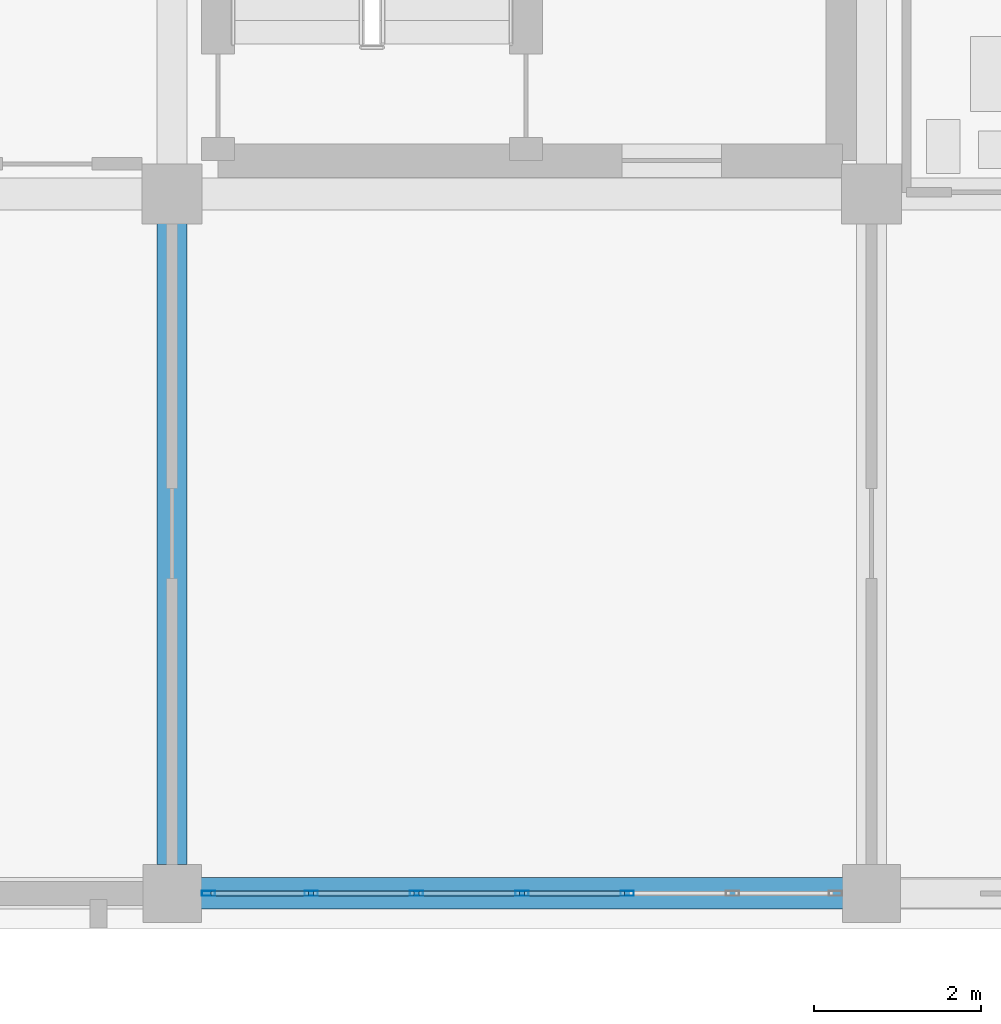
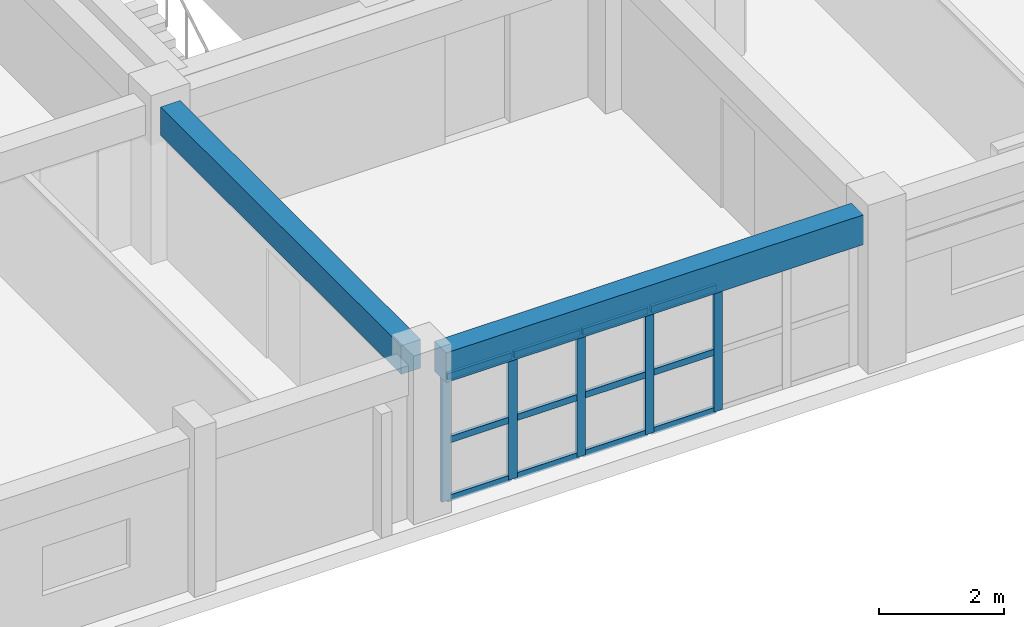
# One storey, part 12 of 148: 17 members, 2 beams, 1 element without a shape of its own.
"""IFC4 building model written with IfcOpenShell, lengths in metres."""

from ifc_helpers import new_model, si_unit, direction, frame, origin, origin_2d, place, context, subcontext, project, spatial, rectangle, hollow_rectangle, extrude, material, layer, layer_set, material_profile, profile_set, type_object, element, aggregate, save


model = new_model("IFC4")

# Units and contexts
model_context = context("Model", 3, precision=1e-05, world=origin(), true_north=direction((0.0, 1.0)))
body_context = subcontext(model_context, "Body", "Model", "MODEL_VIEW")
ifc_project = project(units=[si_unit("LENGTHUNIT", "METRE"), si_unit("AREAUNIT", "SQUARE_METRE"), si_unit("VOLUMEUNIT", "CUBIC_METRE"), si_unit("PLANEANGLEUNIT", "RADIAN"), si_unit("MASSUNIT", "GRAM", prefix="KILO")], contexts=[model_context])

# Site, building, storey
site_placement = place(None, origin())
site = spatial("IfcSite", under=ifc_project, at=site_placement, CompositionType="ELEMENT")
building_placement = place(site_placement, origin())
building = spatial("IfcBuilding", under=site, at=building_placement, Name="Trelvath General Hospital", CompositionType="ELEMENT")
storey_placement = place(building_placement, frame((0.0, 0.0, 12.89990234375)))
storey = spatial("IfcBuildingStorey", under=building, at=storey_placement, Name="L03", CompositionType="ELEMENT", Elevation=12.89990234375)

# Beams
ifc_material_1 = material(Name="Concrete C35/45", Category="concrete")
ifc_material_profile_1 = material_profile(ifc_material_1, rectangle(XDim=0.360107421875, YDim=0.56005859375, at=origin_2d()), Name="RCB360x560")
ifc_profile_set_1 = profile_set([ifc_material_profile_1], Name="Concrete C35/45")
beam_type_1 = type_object("IfcBeamType", Name="Beam RC360x560", PredefinedType="BEAM", material=ifc_profile_set_1)
beam_1_placement = place(storey_placement, frame((42.0, 0.344970703125, 2.739990234375), z_axis=(0.0, 1.0, 0.0), x_axis=(-1.0, 0.0, 0.0)))
element("IfcBeam", 1, at=beam_1_placement, inside=storey, type_object=beam_type_1, Name="Grid Beam BY-305A", PredefinedType="BEAM", context=body_context, shape_type="SweptSolid", body=[
    extrude(rectangle(XDim=0.360107421875, YDim=0.56005859375, at=origin_2d()), origin(), (0.0, 0.0, 1.0), 7.699951171875),
])
ifc_material_2 = material(Name="Concrete C35/45", Category="concrete")
ifc_material_profile_2 = material_profile(ifc_material_2, rectangle(XDim=0.3798828125, YDim=0.580078125, at=origin_2d()), Name="RCB380x580")
ifc_profile_set_2 = profile_set([ifc_material_profile_2], Name="Concrete C35/45")
beam_type_2 = type_object("IfcBeamType", Name="Beam RC380x580", PredefinedType="BEAM", material=ifc_profile_set_2)
beam_2_placement = place(storey_placement, frame((42.344970703125, 0.0, 2.72998046875), z_axis=(1.0, 0.0, 0.0), x_axis=(0.0, 1.0, 0.0)))
element("IfcBeam", 2, at=beam_2_placement, inside=storey, type_object=beam_type_2, Name="Grid Beam BX-305A", PredefinedType="BEAM", context=body_context, shape_type="SweptSolid", body=[
    extrude(rectangle(XDim=0.3798828125, YDim=0.580078125, at=origin_2d()), origin(), (0.0, 0.0, 1.0), 7.7099609375),
])

# Curtain wall, members
ifc_material_3 = material(Name="Anodised aluminium and low-E glass", Category="aluminium")
ifc_layer = layer(ifc_material_3, 0.159912109375)
ifc_layer_set = layer_set([ifc_layer], Name="Anodised aluminium and low-E glass")
curtain_wall_type = type_object("IfcCurtainWallType", Name="CW Facade 759 244 16", PredefinedType="USERDEFINED", material=ifc_layer_set)
curtain_wall_placement = place(storey_placement, origin())
curtain_wall = element("IfcCurtainWall", 3, at=curtain_wall_placement, inside=storey, type_object=curtain_wall_type, Name="Facade Curtain Wall CW-056", ObjectType="Unitised Glazed Curtain Wall", PredefinedType="USERDEFINED")
ifc_material_4 = material(Name="Anodised aluminium", Category="aluminium")
ifc_material_profile_3 = material_profile(ifc_material_4, hollow_rectangle(XDim=0.06005859375, YDim=0.159912109375, WallThickness=0.00390625, at=origin_2d()), Name="RHS60x160x4")
ifc_profile_set_3 = profile_set([ifc_material_profile_3], Name="Anodised aluminium")
member_type_1 = type_object("IfcMemberType", Name="CurtainMullion 60x160", PredefinedType="MULLION", material=ifc_profile_set_3)
member_1_placement = place(storey_placement, frame((47.465087890625, 0.0, 0.0), z_axis=(0.0, 0.0, 1.0), x_axis=(0.0, -1.0, 0.0)))
member_1 = element("IfcMember", 4, at=member_1_placement, type_object=member_type_1, Name="CW-056 mullion 3", PredefinedType="MULLION", context=body_context, shape_type="SweptSolid", body=[
    extrude(hollow_rectangle(XDim=0.06005859375, YDim=0.159912109375, WallThickness=0.00390625, at=origin_2d()), origin(), (0.0, 0.0, 1.0), 2.440185546875),
])
member_2_placement = place(storey_placement, frame((46.199951171875, 0.0, 0.0), z_axis=(0.0, 0.0, 1.0), x_axis=(0.0, -1.0, 0.0)))
member_2 = element("IfcMember", 5, at=member_2_placement, type_object=member_type_1, Name="CW-056 mullion 4", PredefinedType="MULLION", context=body_context, shape_type="SweptSolid", body=[
    extrude(hollow_rectangle(XDim=0.06005859375, YDim=0.159912109375, WallThickness=0.00390625, at=origin_2d()), origin(), (0.0, 0.0, 1.0), 2.440185546875),
])
member_3_placement = place(storey_placement, frame((44.93505859375, 0.0, 0.0), z_axis=(0.0, 0.0, 1.0), x_axis=(0.0, -1.0, 0.0)))
member_3 = element("IfcMember", 6, at=member_3_placement, type_object=member_type_1, Name="CW-056 mullion 5", PredefinedType="MULLION", context=body_context, shape_type="SweptSolid", body=[
    extrude(hollow_rectangle(XDim=0.06005859375, YDim=0.159912109375, WallThickness=0.00390625, at=origin_2d()), origin(), (0.0, 0.0, 1.0), 2.440185546875),
])
member_4_placement = place(storey_placement, frame((43.669921875, 0.0, 0.0), z_axis=(0.0, 0.0, 1.0), x_axis=(0.0, -1.0, 0.0)))
member_4 = element("IfcMember", 7, at=member_4_placement, type_object=member_type_1, Name="CW-056 mullion 6", PredefinedType="MULLION", context=body_context, shape_type="SweptSolid", body=[
    extrude(hollow_rectangle(XDim=0.06005859375, YDim=0.159912109375, WallThickness=0.00390625, at=origin_2d()), origin(), (0.0, 0.0, 1.0), 2.440185546875),
])
member_5_placement = place(storey_placement, frame((42.43505859375, 0.0, 0.0), z_axis=(0.0, 0.0, 1.0), x_axis=(0.0, -1.0, 0.0)))
member_5 = element("IfcMember", 8, at=member_5_placement, type_object=member_type_1, Name="CW-056 mullion 7", PredefinedType="MULLION", context=body_context, shape_type="SweptSolid", body=[
    extrude(hollow_rectangle(XDim=0.06005859375, YDim=0.159912109375, WallThickness=0.00390625, at=origin_2d()), origin(), (0.0, 0.0, 1.0), 2.440185546875),
])
ifc_material_5 = material(Name="Anodised aluminium", Category="aluminium")
ifc_material_profile_4 = material_profile(ifc_material_5, hollow_rectangle(XDim=0.06005859375, YDim=0.125, WallThickness=0.00390625, at=origin_2d()), Name="RHS60x125x4")
ifc_profile_set_4 = profile_set([ifc_material_profile_4], Name="Anodised aluminium")
member_type_2 = type_object("IfcMemberType", Name="CurtainTransom 60x125", PredefinedType="USERDEFINED", material=ifc_profile_set_4)
member_6_placement = place(storey_placement, frame((47.43505859375, 0.0, 0.030029296875), z_axis=(-1.0, 0.0, 0.0), x_axis=(0.0, -1.0, 0.0)))
member_6 = element("IfcMember", 9, at=member_6_placement, type_object=member_type_2, Name="CW-056 transom 3.1", ObjectType="TRANSOM", PredefinedType="USERDEFINED", context=body_context, shape_type="SweptSolid", body=[
    extrude(hollow_rectangle(XDim=0.06005859375, YDim=0.125, WallThickness=0.00390625, at=origin_2d()), origin(), (0.0, 0.0, 1.0), 1.205078125),
])
member_7_placement = place(storey_placement, frame((47.43505859375, 0.0, 1.171142578125), z_axis=(-1.0, 0.0, 0.0), x_axis=(0.0, -1.0, 0.0)))
member_7 = element("IfcMember", 10, at=member_7_placement, type_object=member_type_2, Name="CW-056 transom 3.2", ObjectType="TRANSOM", PredefinedType="USERDEFINED", context=body_context, shape_type="SweptSolid", body=[
    extrude(hollow_rectangle(XDim=0.06005859375, YDim=0.125, WallThickness=0.00390625, at=origin_2d()), origin(), (0.0, 0.0, 1.0), 1.205078125),
])
member_8_placement = place(storey_placement, frame((47.43505859375, 0.0, 2.41015625), z_axis=(-1.0, 0.0, 0.0), x_axis=(0.0, -1.0, 0.0)))
member_8 = element("IfcMember", 11, at=member_8_placement, type_object=member_type_2, Name="CW-056 transom 3.3", ObjectType="TRANSOM", PredefinedType="USERDEFINED", context=body_context, shape_type="SweptSolid", body=[
    extrude(hollow_rectangle(XDim=0.06005859375, YDim=0.125, WallThickness=0.00390625, at=origin_2d()), origin(), (0.0, 0.0, 1.0), 1.205078125),
])
member_9_placement = place(storey_placement, frame((46.169921875, 0.0, 0.030029296875), z_axis=(-1.0, 0.0, 0.0), x_axis=(0.0, -1.0, 0.0)))
member_9 = element("IfcMember", 12, at=member_9_placement, type_object=member_type_2, Name="CW-056 transom 4.1", ObjectType="TRANSOM", PredefinedType="USERDEFINED", context=body_context, shape_type="SweptSolid", body=[
    extrude(hollow_rectangle(XDim=0.06005859375, YDim=0.125, WallThickness=0.00390625, at=origin_2d()), origin(), (0.0, 0.0, 1.0), 1.204833984375),
])
member_10_placement = place(storey_placement, frame((46.169921875, 0.0, 1.171142578125), z_axis=(-1.0, 0.0, 0.0), x_axis=(0.0, -1.0, 0.0)))
member_10 = element("IfcMember", 13, at=member_10_placement, type_object=member_type_2, Name="CW-056 transom 4.2", ObjectType="TRANSOM", PredefinedType="USERDEFINED", context=body_context, shape_type="SweptSolid", body=[
    extrude(hollow_rectangle(XDim=0.06005859375, YDim=0.125, WallThickness=0.00390625, at=origin_2d()), origin(), (0.0, 0.0, 1.0), 1.204833984375),
])
member_11_placement = place(storey_placement, frame((46.169921875, 0.0, 2.41015625), z_axis=(-1.0, 0.0, 0.0), x_axis=(0.0, -1.0, 0.0)))
member_11 = element("IfcMember", 14, at=member_11_placement, type_object=member_type_2, Name="CW-056 transom 4.3", ObjectType="TRANSOM", PredefinedType="USERDEFINED", context=body_context, shape_type="SweptSolid", body=[
    extrude(hollow_rectangle(XDim=0.06005859375, YDim=0.125, WallThickness=0.00390625, at=origin_2d()), origin(), (0.0, 0.0, 1.0), 1.204833984375),
])
member_12_placement = place(storey_placement, frame((44.905029296875, 0.0, 0.030029296875), z_axis=(-1.0, 0.0, 0.0), x_axis=(0.0, -1.0, 0.0)))
member_12 = element("IfcMember", 15, at=member_12_placement, type_object=member_type_2, Name="CW-056 transom 5.1", ObjectType="TRANSOM", PredefinedType="USERDEFINED", context=body_context, shape_type="SweptSolid", body=[
    extrude(hollow_rectangle(XDim=0.06005859375, YDim=0.125, WallThickness=0.00390625, at=origin_2d()), origin(), (0.0, 0.0, 1.0), 1.205078125),
])
member_13_placement = place(storey_placement, frame((44.905029296875, 0.0, 1.171142578125), z_axis=(-1.0, 0.0, 0.0), x_axis=(0.0, -1.0, 0.0)))
member_13 = element("IfcMember", 16, at=member_13_placement, type_object=member_type_2, Name="CW-056 transom 5.2", ObjectType="TRANSOM", PredefinedType="USERDEFINED", context=body_context, shape_type="SweptSolid", body=[
    extrude(hollow_rectangle(XDim=0.06005859375, YDim=0.125, WallThickness=0.00390625, at=origin_2d()), origin(), (0.0, 0.0, 1.0), 1.205078125),
])
member_14_placement = place(storey_placement, frame((44.905029296875, 0.0, 2.41015625), z_axis=(-1.0, 0.0, 0.0), x_axis=(0.0, -1.0, 0.0)))
member_14 = element("IfcMember", 17, at=member_14_placement, type_object=member_type_2, Name="CW-056 transom 5.3", ObjectType="TRANSOM", PredefinedType="USERDEFINED", context=body_context, shape_type="SweptSolid", body=[
    extrude(hollow_rectangle(XDim=0.06005859375, YDim=0.125, WallThickness=0.00390625, at=origin_2d()), origin(), (0.0, 0.0, 1.0), 1.205078125),
])
member_15_placement = place(storey_placement, frame((43.639892578125, 0.0, 0.030029296875), z_axis=(-1.0, 0.0, 0.0), x_axis=(0.0, -1.0, 0.0)))
member_15 = element("IfcMember", 18, at=member_15_placement, type_object=member_type_2, Name="CW-056 transom 6.1", ObjectType="TRANSOM", PredefinedType="USERDEFINED", context=body_context, shape_type="SweptSolid", body=[
    extrude(hollow_rectangle(XDim=0.06005859375, YDim=0.125, WallThickness=0.00390625, at=origin_2d()), origin(), (0.0, 0.0, 1.0), 1.1748046875),
])
member_16_placement = place(storey_placement, frame((43.639892578125, 0.0, 1.171142578125), z_axis=(-1.0, 0.0, 0.0), x_axis=(0.0, -1.0, 0.0)))
member_16 = element("IfcMember", 19, at=member_16_placement, type_object=member_type_2, Name="CW-056 transom 6.2", ObjectType="TRANSOM", PredefinedType="USERDEFINED", context=body_context, shape_type="SweptSolid", body=[
    extrude(hollow_rectangle(XDim=0.06005859375, YDim=0.125, WallThickness=0.00390625, at=origin_2d()), origin(), (0.0, 0.0, 1.0), 1.1748046875),
])
member_17_placement = place(storey_placement, frame((43.639892578125, 0.0, 2.41015625), z_axis=(-1.0, 0.0, 0.0), x_axis=(0.0, -1.0, 0.0)))
member_17 = element("IfcMember", 20, at=member_17_placement, type_object=member_type_2, Name="CW-056 transom 6.3", ObjectType="TRANSOM", PredefinedType="USERDEFINED", context=body_context, shape_type="SweptSolid", body=[
    extrude(hollow_rectangle(XDim=0.06005859375, YDim=0.125, WallThickness=0.00390625, at=origin_2d()), origin(), (0.0, 0.0, 1.0), 1.1748046875),
])
aggregate(curtain_wall, [member_1, member_2, member_3, member_4, member_5, member_6, member_7, member_8, member_9, member_10, member_11, member_12, member_13, member_14, member_15, member_16, member_17])

save(model, "model.ifc")
